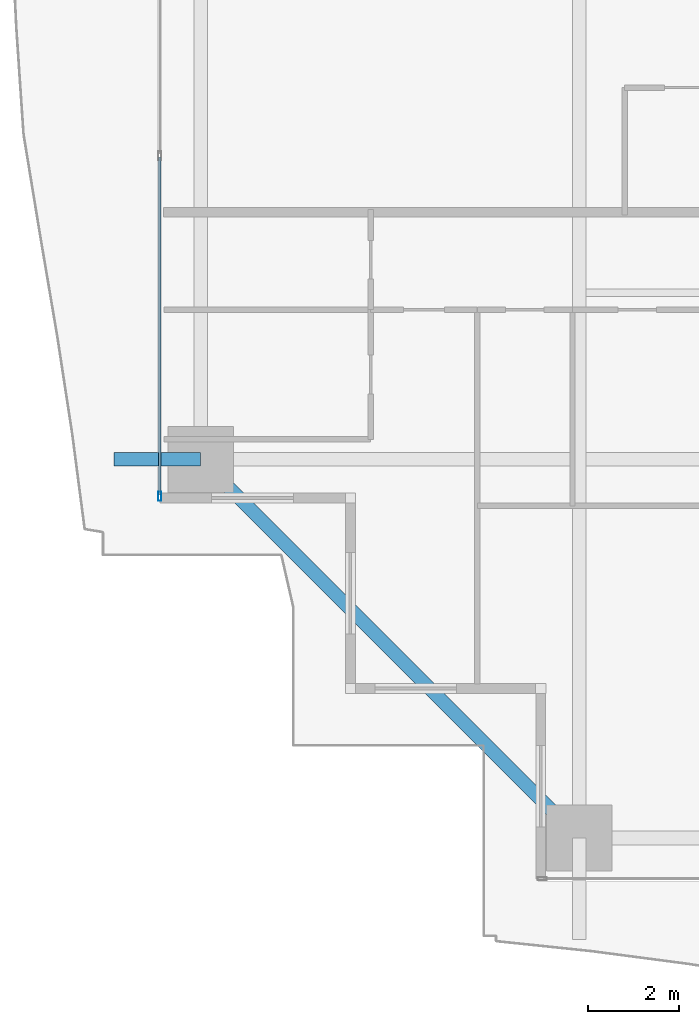
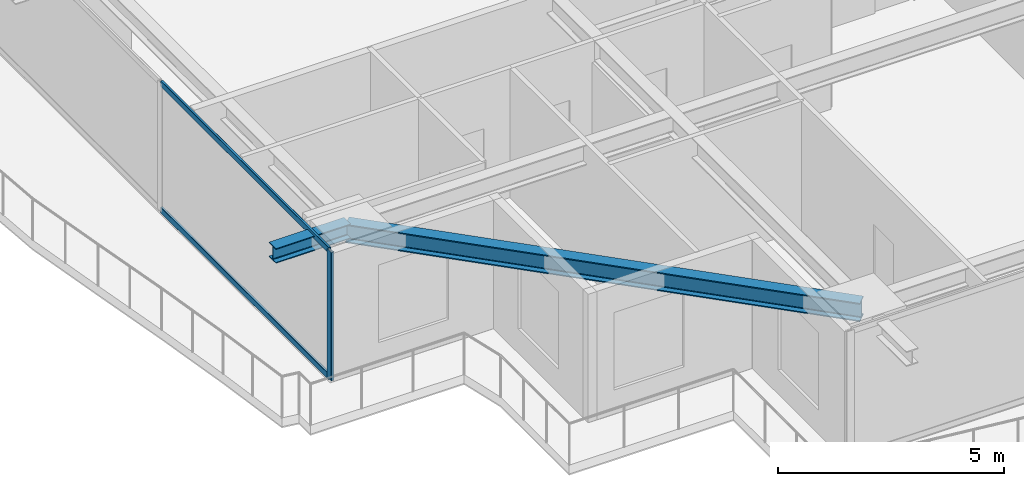
# One storey, part 3 of 41: 3 members, 2 beams, 1 element without a shape of its own.
"""IFC4 building model written with IfcOpenShell, lengths in metres."""

import ifcopenshell
import ifcopenshell.guid

model = None  # the IFC model being written
_history = None  # IfcOwnerHistory: only IFC2X3 demands one
_inside = {}  # id of a spatial element -> (the spatial element, [elements in it])
_under = {}  # id of a project, library or spatial element -> (it, [spatial elements below it])
_declared = {}  # id of a project -> (the project, [libraries it declares])
_typed = {}  # id of a type object -> (the type object, [elements of that type])
_made_of = {}  # id of a material, layer set ... -> (it, [elements and type objects made of it])


def new_model(schema):
    """Start an empty IFC model of exactly this schema.

    Asked for "IFC4X3", IfcOpenShell would pick the latest addendum, in which some entities
    have other attributes; the version numbers below select the first issue.
    IFC2X3 requires an IfcOwnerHistory on every rooted entity: one is made here for all.
    """
    global model, _history
    if schema == "IFC4X3":
        model = ifcopenshell.file(schema_version=(4, 3, 0, 0))
    else:
        model = ifcopenshell.file(schema=schema)
    _inside.clear()
    _under.clear()
    _declared.clear()
    _typed.clear()
    _made_of.clear()
    _history = None
    if model.schema == "IFC2X3":
        org = make("IfcOrganization", Name="unknown")
        user = make(
            "IfcPersonAndOrganization",
            ThePerson=make("IfcPerson", FamilyName="unknown"),
            TheOrganization=org,
        )
        app = make(
            "IfcApplication",
            ApplicationDeveloper=org,
            Version="unknown",
            ApplicationFullName="unknown",
            ApplicationIdentifier="unknown",
        )
        _history = make(
            "IfcOwnerHistory",
            OwningUser=user,
            OwningApplication=app,
            ChangeAction="ADDED",
            CreationDate=0,
        )
    return model


def make(cls, **values):
    """One entity of the class cls with the attributes given. An attribute that is None is left unset."""
    return model.create_entity(
        cls, **{name: value for name, value in values.items() if value is not None}
    )


def rooted(cls, **values):
    """An entity with a GlobalId (a new one), such as an element, a storey or a relation."""
    return make(cls, GlobalId=ifcopenshell.guid.new(), OwnerHistory=_history, **values)


def si_unit(unit_type, name, prefix=None):
    """IfcSIUnit, for example si_unit("LENGTHUNIT", "METRE", prefix="MILLI")."""
    return make("IfcSIUnit", UnitType=unit_type, Prefix=prefix, Name=name)


def assignment(units):
    """IfcUnitAssignment: the units of a project."""
    return None if units is None else make("IfcUnitAssignment", Units=units)


def point(xyz):
    """IfcCartesianPoint."""
    return None if xyz is None else make("IfcCartesianPoint", Coordinates=xyz)


def direction(xyz):
    """IfcDirection."""
    return None if xyz is None else make("IfcDirection", DirectionRatios=xyz)


def frame(location, z_axis=None, x_axis=None):
    """IfcAxis2Placement3D, a coordinate frame: its origin and axes. An axis left out is left unset."""
    return make(
        "IfcAxis2Placement3D",
        Location=point(location),
        Axis=direction(z_axis),
        RefDirection=direction(x_axis),
    )


def frame_2d(location, x_axis=None):
    """IfcAxis2Placement2D, a coordinate frame in the plane: its origin and x axis."""
    return make(
        "IfcAxis2Placement2D", Location=point(location), RefDirection=direction(x_axis)
    )


def origin():
    """The frame at (0, 0, 0) with its axes left unset."""
    return frame((0.0, 0.0, 0.0))


def origin_2d():
    """The frame at (0, 0) in the plane with its x axis left unset."""
    return frame_2d((0.0, 0.0))


def place(relative_to, where):
    """IfcLocalPlacement: puts the frame where relative to a parent placement (None: the world)."""
    return make(
        "IfcLocalPlacement", PlacementRelTo=relative_to, RelativePlacement=where
    )


def context(
    kind, dimensions, precision=None, world=None, true_north=None, identifier=None
):
    """IfcGeometricRepresentationContext, for example the 3D "Model" context."""
    return make(
        "IfcGeometricRepresentationContext",
        ContextIdentifier=identifier,
        ContextType=kind,
        CoordinateSpaceDimension=dimensions,
        Precision=precision,
        WorldCoordinateSystem=world,
        TrueNorth=true_north,
    )


def subcontext(parent, identifier, kind, view, scale=None):
    """IfcGeometricRepresentationSubContext, for example "Body" below "Model"."""
    return make(
        "IfcGeometricRepresentationSubContext",
        ContextIdentifier=identifier,
        ContextType=kind,
        ParentContext=parent,
        TargetScale=scale,
        TargetView=view,
    )


def project(units=None, contexts=None):
    """IfcProject with its units and contexts."""
    return rooted(
        "IfcProject",
        Name="project",
        RepresentationContexts=contexts,
        UnitsInContext=assignment(units),
    )


def spatial(cls, under=None, at=None, **own):
    """A site, building, storey or space (cls), placed at a placement, below another one or the project."""
    s = rooted(cls, ObjectPlacement=at, **own)
    if under is not None:
        _under.setdefault(under.id(), (under, []))[1].append(s)
    return s


def profile(cls, at=None, kind="AREA", **sizes):
    """A parametric profile (cls). Its sizes go by their IFC names, for example OverallWidth=200.0."""
    return make(cls, ProfileType=kind, Position=at, **sizes)


def hollow_rectangle(**sizes):
    """IfcRectangleHollowProfileDef."""
    return profile("IfcRectangleHollowProfileDef", **sizes)


def i_section(**sizes):
    """IfcIShapeProfileDef."""
    return profile("IfcIShapeProfileDef", **sizes)


def extrude(swept, where, along, depth):
    """IfcExtrudedAreaSolid: the profile swept, set in the frame where, extruded along a direction by depth."""
    return make(
        "IfcExtrudedAreaSolid",
        SweptArea=swept,
        Position=where,
        ExtrudedDirection=direction(along),
        Depth=depth,
    )


def shape(context_of_items, identifier, shape_type, items):
    """IfcShapeRepresentation: the items that make up one representation, for example the "Body"."""
    return make(
        "IfcShapeRepresentation",
        ContextOfItems=context_of_items,
        RepresentationIdentifier=identifier,
        RepresentationType=shape_type,
        Items=items,
    )


def source(mapping_origin, context_of_items, identifier, shape_type, items):
    """IfcRepresentationMap: a shape defined once, which mapped items show again and again."""
    return make(
        "IfcRepresentationMap",
        MappingOrigin=mapping_origin,
        MappedRepresentation=shape(context_of_items, identifier, shape_type, items),
    )


def transform(
    local_origin,
    x_axis=None,
    y_axis=None,
    z_axis=None,
    scale=None,
    scale2=None,
    scale3=None,
    uniform=True,
):
    """IfcCartesianTransformationOperator3D, or its non-uniform kind. x_axis, y_axis, z_axis: its Axis1, 2, 3."""
    if uniform:
        return make(
            "IfcCartesianTransformationOperator3D",
            Axis1=direction(x_axis),
            Axis2=direction(y_axis),
            LocalOrigin=point(local_origin),
            Scale=scale,
            Axis3=direction(z_axis),
        )
    return make(
        "IfcCartesianTransformationOperator3DnonUniform",
        Axis1=direction(x_axis),
        Axis2=direction(y_axis),
        LocalOrigin=point(local_origin),
        Scale=scale,
        Axis3=direction(z_axis),
        Scale2=scale2,
        Scale3=scale3,
    )


def mapped(mapping_source, mapping_target):
    """IfcMappedItem: shows the shape of a source again, moved by a transform."""
    return make(
        "IfcMappedItem", MappingSource=mapping_source, MappingTarget=mapping_target
    )


def material(Name=None, Category=None):
    """IfcMaterial."""
    return make("IfcMaterial", Name=Name, Category=Category)


def layer(
    of_material, thickness, ventilated=None, Name=None, Category=None, Priority=None
):
    """IfcMaterialLayer: one layer of a wall or slab, of a material (None: an air gap)."""
    return make(
        "IfcMaterialLayer",
        Material=of_material,
        LayerThickness=thickness,
        IsVentilated=ventilated,
        Name=Name,
        Category=Category,
        Priority=Priority,
    )


def layer_set(layers, Name=None):
    """IfcMaterialLayerSet."""
    return make("IfcMaterialLayerSet", MaterialLayers=layers, LayerSetName=Name)


def material_profile(
    of_material, cross_section, Name=None, Category=None, Priority=None
):
    """IfcMaterialProfile: a cross section and its material."""
    return make(
        "IfcMaterialProfile",
        Name=Name,
        Material=of_material,
        Profile=cross_section,
        Priority=Priority,
        Category=Category,
    )


def profile_set(profiles, Name=None, composite=None):
    """IfcMaterialProfileSet."""
    return make(
        "IfcMaterialProfileSet",
        Name=Name,
        MaterialProfiles=profiles,
        CompositeProfile=composite,
    )


def made_of(thing, what):
    """Note that an element or type object is made of a material, layer set ...; save() writes the relation."""
    if what is not None:
        _made_of.setdefault(what.id(), (what, []))[1].append(thing)
    return thing


def type_object(cls, material=None, **own):
    """A type object (cls), such as IfcWallType, which elements share."""
    return made_of(rooted(cls, **own), material)


def element(
    cls,
    number,
    at=None,
    inside=None,
    cuts=None,
    type_object=None,
    material=None,
    context=None,
    identifier="Body",
    shape_type=None,
    held_by="IfcProductDefinitionShape",
    body=None,
    shapes=None,
    **own,
):
    """One element of the class cls, such as IfcWall. Its Tag is "e" and its number.

    at: its placement. inside: the storey or other place that contains it. cuts: it is an
    opening in that element (IfcRelVoidsElement). A single representation is given by context,
    identifier, shape_type and body (its items); several are given by shapes. held_by: the class
    of the entity that holds the representations. save() writes the other relations.
    """
    e = rooted(cls, Tag="e%d" % number, ObjectPlacement=at, **own)
    if body is not None:
        shapes = [shape(context, identifier, shape_type, body)]
    if shapes is not None:
        e.Representation = make(held_by, Representations=shapes)
    if inside is not None:
        _inside.setdefault(inside.id(), (inside, []))[1].append(e)
    if cuts is not None:
        rooted(
            "IfcRelVoidsElement", RelatingBuildingElement=cuts, RelatedOpeningElement=e
        )
    if type_object is not None:
        _typed.setdefault(type_object.id(), (type_object, []))[1].append(e)
    return made_of(e, material)


def aggregate(whole, parts):
    """IfcRelAggregates: a whole, such as a stair, and the parts it consists of."""
    return rooted("IfcRelAggregates", RelatingObject=whole, RelatedObjects=parts)


def save(model, path):
    """Write the relations noted so far, then the file.

    IfcRelAggregates (storeys below a building ...), IfcRelContainedInSpatialStructure (elements
    in a storey), IfcRelDefinesByType, IfcRelAssociatesMaterial and IfcRelDeclares: one each for
    every whole, place, type object, material and project.
    """
    for whole, parts in _under.values():
        aggregate(whole, parts)
    for where, things in _inside.values():
        rooted(
            "IfcRelContainedInSpatialStructure",
            RelatedElements=things,
            RelatingStructure=where,
        )
    for kind, things in _typed.values():
        rooted("IfcRelDefinesByType", RelatedObjects=things, RelatingType=kind)
    for what, things in _made_of.values():
        rooted("IfcRelAssociatesMaterial", RelatedObjects=things, RelatingMaterial=what)
    for by, libraries in _declared.values():
        rooted("IfcRelDeclares", RelatingContext=by, RelatedDefinitions=libraries)
    model.write(path)


model = new_model("IFC4")

# Units and contexts
model_context = context("Model", 3, precision=1e-05, world=origin(), true_north=direction((0.0, 1.0)))
body_context = subcontext(model_context, "Body", "Model", "MODEL_VIEW")
ifc_project = project(units=[si_unit("LENGTHUNIT", "METRE"), si_unit("AREAUNIT", "SQUARE_METRE"), si_unit("VOLUMEUNIT", "CUBIC_METRE"), si_unit("PLANEANGLEUNIT", "RADIAN"), si_unit("MASSUNIT", "GRAM", prefix="KILO")], contexts=[model_context])

# Site, building, storey
site_placement = place(None, origin())
site = spatial("IfcSite", under=ifc_project, at=site_placement, CompositionType="ELEMENT")
building_placement = place(site_placement, origin())
building = spatial("IfcBuilding", under=site, at=building_placement, Name="Serunith Strait Residences", CompositionType="ELEMENT")
storey_placement = place(building_placement, frame((0.0, 0.0, 45.449951171875)))
storey = spatial("IfcBuildingStorey", under=building, at=storey_placement, Name="L10", CompositionType="ELEMENT", Elevation=45.449951171875)

# Beams
ifc_material_1 = material(Name="Steel S355J2", Category="steel")
ifc_material_profile_1 = material_profile(ifc_material_1, i_section(OverallWidth=0.300048828125, OverallDepth=0.5, WebThickness=0.014404296875, FlangeThickness=0.028076171875, FilletRadius=0.027099609375, at=origin_2d()), Name="HEB 500")
ifc_profile_set_1 = profile_set([ifc_material_profile_1], Name="Steel S355J2")
beam_type_1 = type_object("IfcBeamType", Name="BM-HEB500", PredefinedType="BEAM", material=ifc_profile_set_1)
shared_shape_1 = source(origin(), body_context, "Body", "SweptSolid", [
    extrude(i_section(OverallWidth=0.300048828125, OverallDepth=0.5, WebThickness=0.014404296875, FlangeThickness=0.028076171875, FilletRadius=0.027099609375, at=origin_2d()), origin(), (0.0, 0.0, 1.0), 11.80859375),
])
beam_1_placement = place(storey_placement, frame((6.89990234375, 9.449951171875, 3.20703125), z_axis=(0.707117118476, -0.707096443746, 0.0), x_axis=(0.707096443746, 0.707117118476, 0.0)))
element("IfcBeam", 1, at=beam_1_placement, inside=storey, type_object=beam_type_1, Name="L10 Perimeter Ring Beam 16", PredefinedType="BEAM", context=body_context, shape_type="MappedRepresentation", body=[
    mapped(shared_shape_1, transform((0.0, 0.0, 0.0), scale=1.0)),
])
ifc_material_profile_2 = material_profile(ifc_material_1, i_section(OverallWidth=0.300048828125, OverallDepth=0.39990234375, WebThickness=0.013427734375, FlangeThickness=0.02392578125, FilletRadius=0.027099609375, at=origin_2d()), Name="HEB 400")
ifc_profile_set_2 = profile_set([ifc_material_profile_2], Name="Steel S355J2")
beam_type_2 = type_object("IfcBeamType", Name="BM-HEB400", PredefinedType="BEAM", material=ifc_profile_set_2)
shared_shape_2 = source(origin(), body_context, "Body", "SweptSolid", [
    extrude(i_section(OverallWidth=0.300048828125, OverallDepth=0.39990234375, WebThickness=0.013427734375, FlangeThickness=0.02392578125, FilletRadius=0.027099609375, at=origin_2d()), origin(), (0.0, 0.0, 1.0), 1.909912109375),
])
beam_2_placement = place(storey_placement, frame((6.89990234375, 9.449951171875, 3.257080078125), z_axis=(-1.0, 0.0, 0.0), x_axis=(0.0, -1.0, 0.0)))
element("IfcBeam", 2, at=beam_2_placement, inside=storey, type_object=beam_type_2, Name="L11 Cantilevered Balcony Rib TC-W1", PredefinedType="BEAM", context=body_context, shape_type="MappedRepresentation", body=[
    mapped(shared_shape_2, transform((0.0, 0.0, 0.0), scale=1.0)),
])

# Curtain wall, members
ifc_material_2 = material(Name="Pale-Champagne Anodised Aluminium", Category="aluminium")
ifc_layer = layer(ifc_material_2, 0.199951171875, Name="Pale-Champagne Anodised Aluminium")
ifc_layer_set = layer_set([ifc_layer], Name="Pale-Champagne Anodised Aluminium")
curtain_wall_type = type_object("IfcCurtainWallType", Name="CW-SYS1", PredefinedType="NOTDEFINED", material=ifc_layer_set)
curtain_wall_placement = place(storey_placement, origin())
curtain_wall = element("IfcCurtainWall", 3, at=curtain_wall_placement, inside=storey, type_object=curtain_wall_type, Name="L10 W Unitised Fritted Curtain Wall", PredefinedType="NOTDEFINED")
ifc_material_profile_3 = material_profile(ifc_material_2, hollow_rectangle(XDim=0.070068359375, YDim=0.199951171875, WallThickness=0.00390625, InnerFilletRadius=0.006103515625, OuterFilletRadius=0.010009765625, at=origin_2d()), Name="ALU 200x70x4")
ifc_profile_set_3 = profile_set([ifc_material_profile_3], Name="Pale-Champagne Anodised Aluminium")
member_type_1 = type_object("IfcMemberType", Name="CW-SYS1-MULL", PredefinedType="MULLION", material=ifc_profile_set_3)
shared_shape_3 = source(origin(), body_context, "Body", "SweptSolid", [
    extrude(hollow_rectangle(XDim=0.070068359375, YDim=0.199951171875, WallThickness=0.00390625, InnerFilletRadius=0.006103515625, OuterFilletRadius=0.010009765625, at=origin_2d()), origin(), (0.0, 0.0, 1.0), 3.47509765625),
])
member_1_placement = place(storey_placement, frame((6.0, 8.635009765625, 0.0), z_axis=(0.0, 0.0, 1.0), x_axis=(1.0, 0.0, 0.0)))
member_1 = element("IfcMember", 4, at=member_1_placement, type_object=member_type_1, Name="CW-1 mullion 3", PredefinedType="MULLION", context=body_context, shape_type="MappedRepresentation", body=[
    mapped(shared_shape_3, transform((0.0, 0.0, 0.0), scale=1.0)),
])
ifc_material_profile_4 = material_profile(ifc_material_2, hollow_rectangle(XDim=0.06005859375, YDim=0.159912109375, WallThickness=0.00341796875, InnerFilletRadius=0.00537109375, OuterFilletRadius=0.0087890625, at=origin_2d()), Name="ALU 160x60x3.5")
ifc_profile_set_4 = profile_set([ifc_material_profile_4], Name="Pale-Champagne Anodised Aluminium")
member_type_2 = type_object("IfcMemberType", Name="CW-SYS1-TRAN", PredefinedType="USERDEFINED", material=ifc_profile_set_4)
shared_shape_4 = source(origin(), body_context, "Body", "SweptSolid", [
    extrude(hollow_rectangle(XDim=0.06005859375, YDim=0.159912109375, WallThickness=0.00341796875, InnerFilletRadius=0.00537109375, OuterFilletRadius=0.0087890625, at=origin_2d()), origin(), (0.0, 0.0, 1.0), 7.445068359375),
])
member_2_placement = place(storey_placement, frame((6.0, 16.114990234375, 0.030029296875), z_axis=(0.0, -1.0, 0.0), x_axis=(1.0, 0.0, 0.0)))
member_2 = element("IfcMember", 5, at=member_2_placement, type_object=member_type_2, Name="CW-1 transom 2.1", ObjectType="TRANSOM", PredefinedType="USERDEFINED", context=body_context, shape_type="MappedRepresentation", body=[
    mapped(shared_shape_4, transform((0.0, 0.0, 0.0), scale=1.0)),
])
member_3_placement = place(storey_placement, frame((6.0, 16.114990234375, 3.445068359375), z_axis=(0.0, -1.0, 0.0), x_axis=(1.0, 0.0, 0.0)))
member_3 = element("IfcMember", 6, at=member_3_placement, type_object=member_type_2, Name="CW-1 transom 2.2", ObjectType="TRANSOM", PredefinedType="USERDEFINED", context=body_context, shape_type="MappedRepresentation", body=[
    mapped(shared_shape_4, transform((0.0, 0.0, 0.0), scale=1.0)),
])
aggregate(curtain_wall, [member_1, member_2, member_3])

save(model, "model.ifc")
